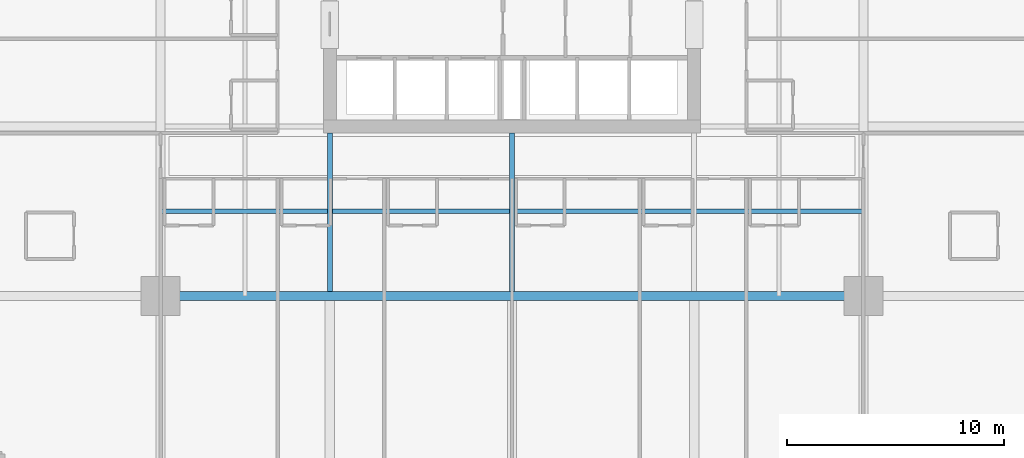
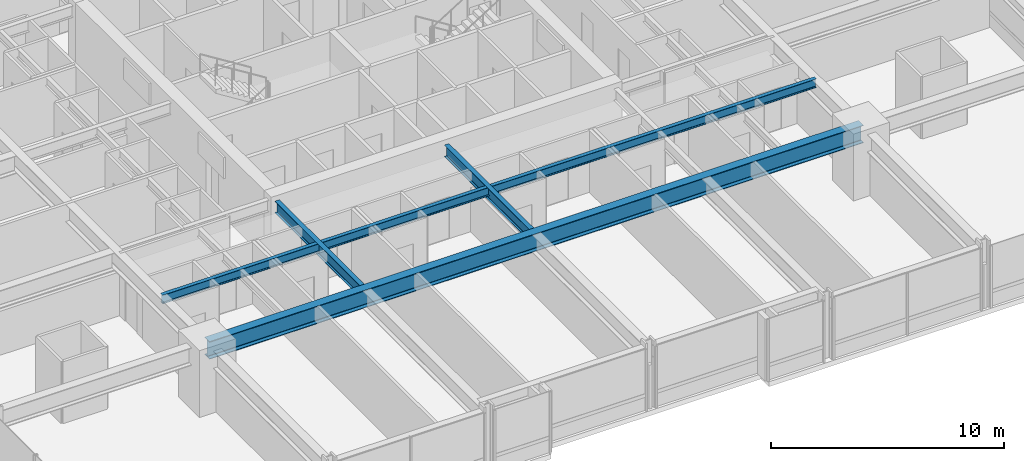
# One storey, part 6 of 39: 4 beams.
"""IFC4 building model written with IfcOpenShell, lengths in metres."""

from ifc_helpers import new_model, si_unit, direction, frame, origin, origin_2d, place, context, subcontext, project, spatial, i_section, extrude, material, material_profile, profile_set, type_object, element, save


model = new_model("IFC4")

# Units and contexts
model_context = context("Model", 3, precision=1e-05, world=origin(), true_north=direction((0.0, 1.0)))
body_context = subcontext(model_context, "Body", "Model", "MODEL_VIEW")
ifc_project = project(units=[si_unit("LENGTHUNIT", "METRE"), si_unit("AREAUNIT", "SQUARE_METRE"), si_unit("VOLUMEUNIT", "CUBIC_METRE"), si_unit("PLANEANGLEUNIT", "RADIAN"), si_unit("MASSUNIT", "GRAM", prefix="KILO")], contexts=[model_context])

# Site, building, storey
site_placement = place(None, origin())
site = spatial("IfcSite", under=ifc_project, at=site_placement, CompositionType="ELEMENT")
building_placement = place(site_placement, origin())
building = spatial("IfcBuilding", under=site, at=building_placement, Name="Drelvath Grand Hotel", CompositionType="ELEMENT")
storey_placement = place(building_placement, frame((0.0, 0.0, 40.199951171875)))
storey = spatial("IfcBuildingStorey", under=building, at=storey_placement, Name="L08", CompositionType="ELEMENT", Elevation=40.199951171875)

# Beams
ifc_material = material(Name="Steel ASTM A992 Gr 50", Category="steel")
ifc_material_profile_1 = material_profile(ifc_material, i_section(OverallWidth=0.19140625, OverallDepth=0.4599609375, WebThickness=0.010009765625, FlangeThickness=0.01611328125, FilletRadius=0.01611328125, at=origin_2d()), Name="W18X55")
ifc_profile_set_1 = profile_set([ifc_material_profile_1], Name="Steel ASTM A992 Gr 50")
beam_type_1 = type_object("IfcBeamType", Name="Composite Floor Joist W18X55", PredefinedType="JOIST", material=ifc_profile_set_1)
beam_1_placement = place(storey_placement, frame((-16.199951171875, 14.699951171875, 3.010009765625), z_axis=(1.0, 0.0, 0.0), x_axis=(0.0, 1.0, 0.0)))
element("IfcBeam", 1, at=beam_1_placement, inside=storey, type_object=beam_type_1, Name="L08 Floor Joist J1", PredefinedType="JOIST", context=body_context, shape_type="SweptSolid", body=[
    extrude(i_section(OverallWidth=0.19140625, OverallDepth=0.4599609375, WebThickness=0.010009765625, FlangeThickness=0.01611328125, FilletRadius=0.01611328125, at=origin_2d()), origin(), (0.0, 0.0, 1.0), 32.39990234375),
])
ifc_material_profile_2 = material_profile(ifc_material, i_section(OverallWidth=0.228271484375, OverallDepth=0.607666015625, WebThickness=0.01123046875, FlangeThickness=0.017333984375, FilletRadius=0.02001953125, at=origin_2d()), Name="W24X76")
ifc_profile_set_2 = profile_set([ifc_material_profile_2], Name="Steel ASTM A992 Gr 50")
beam_type_2 = type_object("IfcBeamType", Name="Primary Floor Girder W24X76", PredefinedType="BEAM", material=ifc_profile_set_2)
for number, where, z_axis, x_axis, name in (
    (2, (-8.39990234375, 11.00927734375, 2.936279296875), (0.0, 1.0, 0.0), (-1.0, 0.0, 0.0), "L08 South Core Tie 4"),
    (3, (0.0, 11.00927734375, 2.936279296875), (0.0, 1.0, 0.0), (-1.0, 0.0, 0.0), "L08 South Core Tie 5"),
):
    element("IfcBeam", number, at=place(storey_placement, frame(where, z_axis=z_axis, x_axis=x_axis)), inside=storey, type_object=beam_type_2, Name=name, PredefinedType="BEAM", context=body_context, shape_type="SweptSolid", body=[
        extrude(i_section(OverallWidth=0.228271484375, OverallDepth=0.607666015625, WebThickness=0.01123046875, FlangeThickness=0.017333984375, FilletRadius=0.02001953125, at=origin_2d()), origin(), (0.0, 0.0, 1.0), 7.290771484375),
    ])
ifc_material_profile_3 = material_profile(ifc_material, i_section(OverallWidth=0.418212890625, OverallDepth=0.926513671875, WebThickness=0.019287109375, FlangeThickness=0.031982421875, FilletRadius=0.028076171875, at=origin_2d()), Name="W36X231")
ifc_profile_set_3 = profile_set([ifc_material_profile_3], Name="Steel ASTM A992 Gr 50")
beam_type_3 = type_object("IfcBeamType", Name="Primary Floor Girder W36X231", PredefinedType="BEAM", material=ifc_profile_set_3)
beam_2_placement = place(storey_placement, frame((-16.199951171875, 10.800048828125, 2.77685546875), z_axis=(1.0, 0.0, 0.0), x_axis=(0.0, 1.0, 0.0)))
element("IfcBeam", 4, at=beam_2_placement, inside=storey, type_object=beam_type_3, Name="L08 Mega Ring Girder South", PredefinedType="BEAM", context=body_context, shape_type="SweptSolid", body=[
    extrude(i_section(OverallWidth=0.418212890625, OverallDepth=0.926513671875, WebThickness=0.019287109375, FlangeThickness=0.031982421875, FilletRadius=0.028076171875, at=origin_2d()), origin(), (0.0, 0.0, 1.0), 32.39990234375),
])

save(model, "model.ifc")
